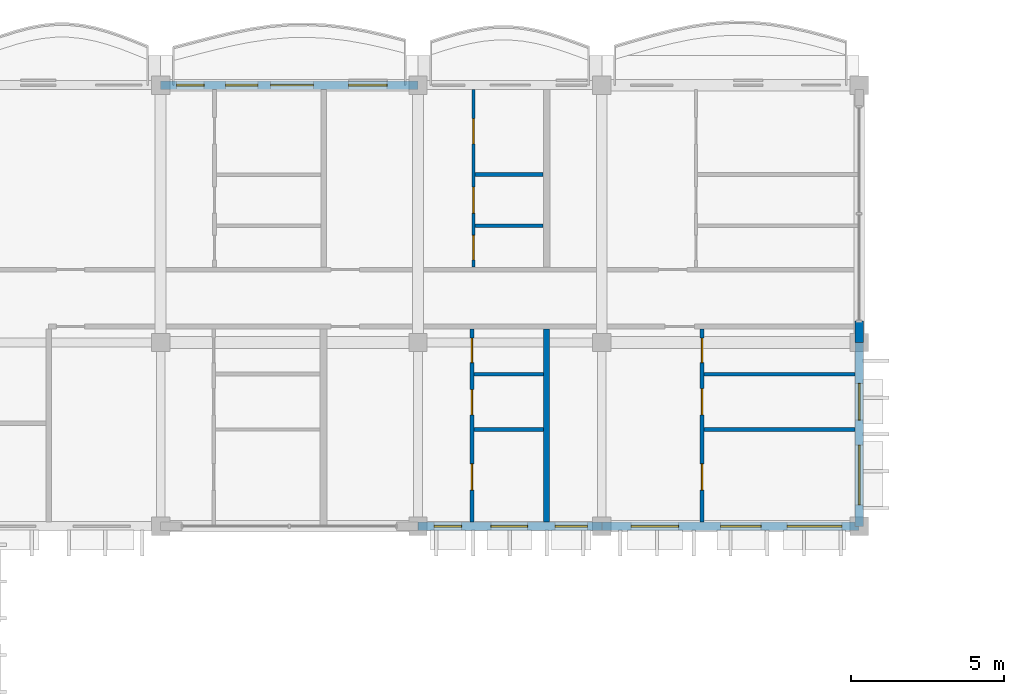
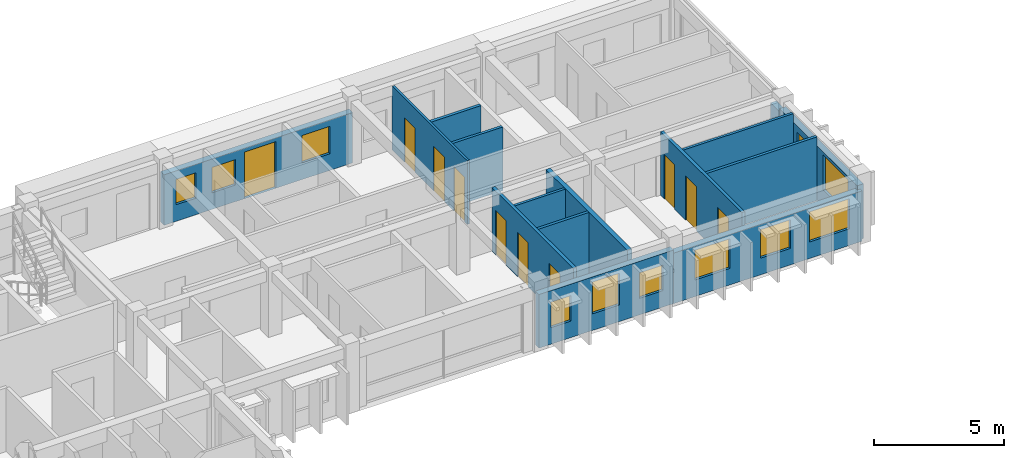
# One storey, part 28 of 54: 15 walls, 11 windows, 10 doors, 21 openings.
"""IFC4 building model written with IfcOpenShell, lengths in metres."""

from ifc_helpers import new_model, si_unit, direction, frame, frame_2d, origin, place, context, subcontext, project, spatial, rectangle, extrude, material, layer, layer_set, type_object, element, fill, save


model = new_model("IFC4")

# Units and contexts
model_context = context("Model", 3, precision=1e-05, world=origin(), true_north=direction((0.0, 1.0)))
body_context = subcontext(model_context, "Body", "Model", "MODEL_VIEW")
ifc_project = project(units=[si_unit("LENGTHUNIT", "METRE"), si_unit("AREAUNIT", "SQUARE_METRE"), si_unit("VOLUMEUNIT", "CUBIC_METRE"), si_unit("PLANEANGLEUNIT", "RADIAN"), si_unit("MASSUNIT", "GRAM", prefix="KILO"), si_unit("THERMODYNAMICTEMPERATUREUNIT", "KELVIN")], contexts=[model_context])

# Site, building, storey
site_placement = place(None, origin())
site = spatial("IfcSite", under=ifc_project, at=site_placement, CompositionType="ELEMENT")
building_placement = place(site_placement, origin())
building = spatial("IfcBuilding", under=site, at=building_placement, Name="Thalorik Housing Commons", CompositionType="ELEMENT")
storey_placement = place(building_placement, frame((0.0, 0.0, 31.199951171875)))
storey = spatial("IfcBuildingStorey", under=building, at=storey_placement, Name="L09", CompositionType="ELEMENT", Elevation=31.199951171875)

# Wall, openings, windows
ifc_material_1 = material(Name="White precast concrete C40/50", Category="concrete")
ifc_layer_1 = layer(ifc_material_1, 0.27490234375, Name="White precast concrete C40/50", Category="concrete")
ifc_layer_set_1 = layer_set([ifc_layer_1], Name="White precast concrete C40/50")
wall_type_1 = type_object("IfcWallType", Name="ARC-WAL-EXT-275", PredefinedType="STANDARD", material=ifc_layer_set_1)
wall_1_placement = place(storey_placement, frame((37.199951171875, 109.199951171875, 0.0), z_axis=(0.0, 0.0, 1.0), x_axis=(1.0, 0.0, 0.0)))
wall_1 = element("IfcWall", 1, at=wall_1_placement, inside=storey, type_object=wall_type_1, Name="L09 Exterior Wall WAL-EXT-L09-A-0237", PredefinedType="STANDARD", context=body_context, shape_type="SweptSolid", body=[
    extrude(rectangle(XDim=6.0, YDim=0.27490234375, at=frame_2d((3.0, 0.0))), origin(), (0.0, 0.0, 1.0), 2.525146484375),
])
opening_1_placement = place(wall_1_placement, frame((0.52490234375, 0.0, 0.780029296875)))
opening_1 = element("IfcOpeningElement", 2, at=opening_1_placement, cuts=wall_1, Name="Opening W-01", PredefinedType="OPENING", context=body_context, shape_type="SweptSolid", body=[
    extrude(rectangle(XDim=0.89990234375, YDim=1.199951171875, at=frame_2d((0.449951171875, 0.60009765625))), frame((0.0, 0.1474609375, 0.0), z_axis=(0.0, -1.0, 0.0), x_axis=(1.0, 0.0, 0.0)), (0.0, 0.0, 1.0), 0.294921875),
])
opening_2_placement = place(wall_1_placement, frame((2.3798828125, 0.0, 0.780029296875)))
opening_2 = element("IfcOpeningElement", 3, at=opening_2_placement, cuts=wall_1, Name="Opening W-05", PredefinedType="OPENING", context=body_context, shape_type="SweptSolid", body=[
    extrude(rectangle(XDim=1.199951171875, YDim=1.5, at=frame_2d((0.60009765625, 0.75))), frame((0.0, 0.1474609375, 0.0), z_axis=(0.0, -1.0, 0.0), x_axis=(1.0, 0.0, 0.0)), (0.0, 0.0, 1.0), 0.294921875),
])
opening_3_placement = place(wall_1_placement, frame((4.47998046875, 0.0, 0.780029296875)))
opening_3 = element("IfcOpeningElement", 4, at=opening_3_placement, cuts=wall_1, Name="Opening W-44", PredefinedType="OPENING", context=body_context, shape_type="SweptSolid", body=[
    extrude(rectangle(XDim=1.050048828125, YDim=1.199951171875, at=frame_2d((0.52490234375, 0.60009765625))), frame((0.0, 0.1474609375, 0.0), z_axis=(0.0, -1.0, 0.0), x_axis=(1.0, 0.0, 0.0)), (0.0, 0.0, 1.0), 0.294921875),
])
ifc_material_2 = material(Name="Anodised aluminium and solar-control low-E glass", Category="aluminium")
window_type_1 = type_object("IfcWindowType", Name="ARC-WIN-01", PartitioningType="SINGLE_PANEL", PredefinedType="WINDOW", material=ifc_material_2)
window_1_placement = place(opening_1_placement, origin())
window_1 = element("IfcWindow", 5, at=window_1_placement, inside=storey, type_object=window_type_1, Name="L09 Facade Window 426", OverallHeight=1.199951171875, OverallWidth=0.89990234375, PartitioningType="SINGLE_PANEL", PredefinedType="WINDOW", context=body_context, shape_type="SweptSolid", body=[
    extrude(rectangle(XDim=0.89990234375, YDim=1.199951171875, at=frame_2d((0.449951171875, 0.60009765625))), frame((0.0, 0.030029296875, 0.0), z_axis=(0.0, -1.0, 0.0), x_axis=(1.0, 0.0, 0.0)), (0.0, 0.0, 1.0), 0.06005859375),
])
fill(opening_1, window_1)
window_type_2 = type_object("IfcWindowType", Name="ARC-WIN-05", PartitioningType="SINGLE_PANEL", PredefinedType="WINDOW", material=ifc_material_2)
window_2_placement = place(opening_2_placement, origin())
window_2 = element("IfcWindow", 6, at=window_2_placement, inside=storey, type_object=window_type_2, Name="L09 Facade Window 427", OverallHeight=1.5, OverallWidth=1.199951171875, PartitioningType="SINGLE_PANEL", PredefinedType="WINDOW", context=body_context, shape_type="SweptSolid", body=[
    extrude(rectangle(XDim=1.199951171875, YDim=1.5, at=frame_2d((0.60009765625, 0.75))), frame((0.0, 0.030029296875, 0.0), z_axis=(0.0, -1.0, 0.0), x_axis=(1.0, 0.0, 0.0)), (0.0, 0.0, 1.0), 0.06005859375),
])
fill(opening_2, window_2)
window_type_3 = type_object("IfcWindowType", Name="ARC-WIN-44", PartitioningType="SINGLE_PANEL", PredefinedType="WINDOW", material=ifc_material_2)
window_3_placement = place(opening_3_placement, origin())
window_3 = element("IfcWindow", 7, at=window_3_placement, inside=storey, type_object=window_type_3, Name="L09 Facade Window 428", OverallHeight=1.199951171875, OverallWidth=1.050048828125, PartitioningType="SINGLE_PANEL", PredefinedType="WINDOW", context=body_context, shape_type="SweptSolid", body=[
    extrude(rectangle(XDim=1.050048828125, YDim=1.199951171875, at=frame_2d((0.52490234375, 0.60009765625))), frame((0.0, 0.030029296875, 0.0), z_axis=(0.0, -1.0, 0.0), x_axis=(1.0, 0.0, 0.0)), (0.0, 0.0, 1.0), 0.06005859375),
])
fill(opening_3, window_3)

wall_2_placement = place(storey_placement, frame((43.199951171875, 109.199951171875, 0.0), z_axis=(0.0, 0.0, 1.0), x_axis=(1.0, 0.0, 0.0)))
wall_2 = element("IfcWall", 8, at=wall_2_placement, inside=storey, type_object=wall_type_1, Name="L09 Exterior Wall WAL-EXT-L09-A-0238", PredefinedType="STANDARD", context=body_context, shape_type="SweptSolid", body=[
    extrude(rectangle(XDim=8.400146484375, YDim=0.27490234375, at=frame_2d((4.2001953125, 0.0))), origin(), (0.0, 0.0, 1.0), 2.375),
])
opening_4_placement = place(wall_2_placement, frame((0.955078125, 0.0, 0.780029296875)))
opening_4 = element("IfcOpeningElement", 9, at=opening_4_placement, cuts=wall_2, Name="Opening W-12", PredefinedType="OPENING", context=body_context, shape_type="SweptSolid", body=[
    extrude(rectangle(XDim=1.550048828125, YDim=1.39990234375, at=frame_2d((0.77490234375, 0.699951171875))), frame((0.0, 0.1474609375, 0.0), z_axis=(0.0, -1.0, 0.0), x_axis=(1.0, 0.0, 0.0)), (0.0, 0.0, 1.0), 0.294921875),
])
opening_5_placement = place(wall_2_placement, frame((3.8798828125, 0.0, 0.780029296875)))
opening_5 = element("IfcOpeningElement", 10, at=opening_5_placement, cuts=wall_2, Name="Opening W-48", PredefinedType="OPENING", context=body_context, shape_type="SweptSolid", body=[
    extrude(rectangle(XDim=1.320068359375, YDim=1.35009765625, at=frame_2d((0.66015625, 0.675048828125))), frame((0.0, 0.1474609375, 0.0), z_axis=(0.0, -1.0, 0.0), x_axis=(1.0, 0.0, 0.0)), (0.0, 0.0, 1.0), 0.294921875),
])
opening_6_placement = place(wall_2_placement, frame((6.050048828125, 0.0, 0.780029296875)))
opening_6 = element("IfcOpeningElement", 11, at=opening_6_placement, cuts=wall_2, Name="Opening W-57", PredefinedType="OPENING", context=body_context, shape_type="SweptSolid", body=[
    extrude(rectangle(XDim=1.780029296875, YDim=1.419921875, at=frame_2d((0.89013671875, 0.7099609375))), frame((0.0, 0.1474609375, 0.0), z_axis=(0.0, -1.0, 0.0), x_axis=(1.0, 0.0, 0.0)), (0.0, 0.0, 1.0), 0.294921875),
])
window_type_4 = type_object("IfcWindowType", Name="ARC-WIN-12", PartitioningType="SINGLE_PANEL", PredefinedType="WINDOW", material=ifc_material_2)
window_4_placement = place(opening_4_placement, origin())
window_4 = element("IfcWindow", 12, at=window_4_placement, inside=storey, type_object=window_type_4, Name="L09 Facade Window 429", OverallHeight=1.39990234375, OverallWidth=1.550048828125, PartitioningType="SINGLE_PANEL", PredefinedType="WINDOW", context=body_context, shape_type="SweptSolid", body=[
    extrude(rectangle(XDim=1.550048828125, YDim=1.39990234375, at=frame_2d((0.77490234375, 0.699951171875))), frame((0.0, 0.030029296875, 0.0), z_axis=(0.0, -1.0, 0.0), x_axis=(1.0, 0.0, 0.0)), (0.0, 0.0, 1.0), 0.06005859375),
])
fill(opening_4, window_4)
window_type_5 = type_object("IfcWindowType", Name="ARC-WIN-48", PartitioningType="SINGLE_PANEL", PredefinedType="WINDOW", material=ifc_material_2)
window_5_placement = place(opening_5_placement, origin())
window_5 = element("IfcWindow", 13, at=window_5_placement, inside=storey, type_object=window_type_5, Name="L09 Facade Window 430", OverallHeight=1.35009765625, OverallWidth=1.320068359375, PartitioningType="SINGLE_PANEL", PredefinedType="WINDOW", context=body_context, shape_type="SweptSolid", body=[
    extrude(rectangle(XDim=1.320068359375, YDim=1.35009765625, at=frame_2d((0.66015625, 0.675048828125))), frame((0.0, 0.030029296875, 0.0), z_axis=(0.0, -1.0, 0.0), x_axis=(1.0, 0.0, 0.0)), (0.0, 0.0, 1.0), 0.06005859375),
])
fill(opening_5, window_5)
window_type_6 = type_object("IfcWindowType", Name="ARC-WIN-57", PartitioningType="DOUBLE_PANEL_VERTICAL", PredefinedType="WINDOW", material=ifc_material_2)
window_6_placement = place(opening_6_placement, origin())
window_6 = element("IfcWindow", 14, at=window_6_placement, inside=storey, type_object=window_type_6, Name="L09 Facade Window 431", OverallHeight=1.419921875, OverallWidth=1.780029296875, PartitioningType="DOUBLE_PANEL_VERTICAL", PredefinedType="WINDOW", context=body_context, shape_type="SweptSolid", body=[
    extrude(rectangle(XDim=1.780029296875, YDim=1.419921875, at=frame_2d((0.89013671875, 0.7099609375))), frame((0.0, 0.030029296875, 0.0), z_axis=(0.0, -1.0, 0.0), x_axis=(1.0, 0.0, 0.0)), (0.0, 0.0, 1.0), 0.06005859375),
])
fill(opening_6, window_6)

wall_3_placement = place(storey_placement, frame((51.60009765625, 109.199951171875, 0.0), z_axis=(0.0, 0.0, 1.0), x_axis=(0.0, 1.0, 0.0)))
wall_3 = element("IfcWall", 15, at=wall_3_placement, inside=storey, type_object=wall_type_1, Name="L09 Exterior Wall WAL-EXT-L09-A-0239", PredefinedType="STANDARD", context=body_context, shape_type="SweptSolid", body=[
    extrude(rectangle(XDim=6.0, YDim=0.27490234375, at=frame_2d((3.0, 0.0))), origin(), (0.0, 0.0, 1.0), 2.574951171875),
])
opening_7_placement = place(wall_3_placement, frame((0.700439453125, 0.0, 0.780029296875)))
opening_7 = element("IfcOpeningElement", 16, at=opening_7_placement, cuts=wall_3, Name="Opening W-22", PredefinedType="OPENING", context=body_context, shape_type="SweptSolid", body=[
    extrude(rectangle(XDim=1.949951171875, YDim=1.64990234375, at=frame_2d((0.97509765625, 0.824951171875))), frame((0.0, 0.1474609375, 0.0), z_axis=(0.0, -1.0, 0.0), x_axis=(1.0, 0.0, 0.0)), (0.0, 0.0, 1.0), 0.294921875),
])
opening_8_placement = place(wall_3_placement, frame((3.465087890625, 0.0, 0.780029296875)))
opening_8 = element("IfcOpeningElement", 17, at=opening_8_placement, cuts=wall_3, Name="Opening W-05", PredefinedType="OPENING", context=body_context, shape_type="SweptSolid", body=[
    extrude(rectangle(XDim=1.199951171875, YDim=1.5, at=frame_2d((0.60009765625, 0.75))), frame((0.0, 0.1474609375, 0.0), z_axis=(0.0, -1.0, 0.0), x_axis=(1.0, 0.0, 0.0)), (0.0, 0.0, 1.0), 0.294921875),
])
window_7_placement = place(opening_8_placement, origin())
window_7 = element("IfcWindow", 18, at=window_7_placement, inside=storey, type_object=window_type_2, Name="L09 Facade Window 433", OverallHeight=1.5, OverallWidth=1.199951171875, PartitioningType="SINGLE_PANEL", PredefinedType="WINDOW", context=body_context, shape_type="SweptSolid", body=[
    extrude(rectangle(XDim=1.199951171875, YDim=1.5, at=frame_2d((0.60009765625, 0.75))), frame((0.0, 0.030029296875, 0.0), z_axis=(0.0, -1.0, 0.0), x_axis=(1.0, 0.0, 0.0)), (0.0, 0.0, 1.0), 0.06005859375),
])
fill(opening_8, window_7)
window_type_7 = type_object("IfcWindowType", Name="ARC-WIN-22", PartitioningType="DOUBLE_PANEL_VERTICAL", PredefinedType="WINDOW", material=ifc_material_2)
window_8_placement = place(opening_7_placement, origin())
window_8 = element("IfcWindow", 19, at=window_8_placement, inside=storey, type_object=window_type_7, Name="L09 Facade Window 432", OverallHeight=1.64990234375, OverallWidth=1.949951171875, PartitioningType="DOUBLE_PANEL_VERTICAL", PredefinedType="WINDOW", context=body_context, shape_type="SweptSolid", body=[
    extrude(rectangle(XDim=1.949951171875, YDim=1.64990234375, at=frame_2d((0.97509765625, 0.824951171875))), frame((0.0, 0.030029296875, 0.0), z_axis=(0.0, -1.0, 0.0), x_axis=(1.0, 0.0, 0.0)), (0.0, 0.0, 1.0), 0.06005859375),
])
fill(opening_7, window_8)

# Wall
wall_4_placement = place(storey_placement, frame((51.60009765625, 115.199951171875, 0.0), z_axis=(0.0, 0.0, 1.0), x_axis=(0.0, 1.0, 0.0)))
element("IfcWall", 20, at=wall_4_placement, inside=storey, type_object=wall_type_1, Name="L09 Exterior Wall WAL-PIERL-L09-A-0240", PredefinedType="STANDARD", context=body_context, shape_type="SweptSolid", body=[
    extrude(rectangle(XDim=0.699951171875, YDim=0.27490234375, at=frame_2d((0.35009765625, 0.0))), origin(), (0.0, 0.0, 1.0), 2.425048828125),
])

# Wall, openings, door, windows
wall_5_placement = place(storey_placement, frame((37.199951171875, 123.60009765625, 0.0), z_axis=(0.0, 0.0, 1.0), x_axis=(-1.0, 0.0, 0.0)))
wall_5 = element("IfcWall", 21, at=wall_5_placement, inside=storey, type_object=wall_type_1, Name="L09 Exterior Wall WAL-EXT-L09-A-0243", PredefinedType="STANDARD", context=body_context, shape_type="SweptSolid", body=[
    extrude(rectangle(XDim=8.39990234375, YDim=0.27490234375, at=frame_2d((4.199951171875, 0.0))), origin(), (0.0, 0.0, 1.0), 2.375),
])
opening_9_placement = place(wall_5_placement, frame((3.409912109375, 0.0, 0.0)))
opening_9 = element("IfcOpeningElement", 22, at=opening_9_placement, cuts=wall_5, Name="Opening ED-0077", PredefinedType="OPENING", context=body_context, shape_type="SweptSolid", body=[
    extrude(rectangle(XDim=1.39990234375, YDim=2.199951171875, at=frame_2d((0.699951171875, 1.10009765625))), frame((0.0, 0.1474609375, 0.0), z_axis=(0.0, -1.0, 0.0), x_axis=(1.0, 0.0, 0.0)), (0.0, 0.0, 1.0), 0.294921875),
])
opening_10_placement = place(wall_5_placement, frame((1.010009765625, 0.0, 0.780029296875)))
opening_10 = element("IfcOpeningElement", 23, at=opening_10_placement, cuts=wall_5, Name="Opening W-46", PredefinedType="OPENING", context=body_context, shape_type="SweptSolid", body=[
    extrude(rectangle(XDim=1.25, YDim=1.300048828125, at=frame_2d((0.625, 0.64990234375))), frame((0.0, 0.1474609375, 0.0), z_axis=(0.0, -1.0, 0.0), x_axis=(1.0, 0.0, 0.0)), (0.0, 0.0, 1.0), 0.294921875),
])
opening_11_placement = place(wall_5_placement, frame((5.227294921875, 0.0, 0.780029296875)))
opening_11 = element("IfcOpeningElement", 24, at=opening_11_placement, cuts=wall_5, Name="Opening W-44", PredefinedType="OPENING", context=body_context, shape_type="SweptSolid", body=[
    extrude(rectangle(XDim=1.050048828125, YDim=1.199951171875, at=frame_2d((0.52490234375, 0.60009765625))), frame((0.0, 0.1474609375, 0.0), z_axis=(0.0, -1.0, 0.0), x_axis=(1.0, 0.0, 0.0)), (0.0, 0.0, 1.0), 0.294921875),
])
opening_12_placement = place(wall_5_placement, frame((6.977294921875, 0.0, 0.780029296875)))
opening_12 = element("IfcOpeningElement", 25, at=opening_12_placement, cuts=wall_5, Name="Opening W-01", PredefinedType="OPENING", context=body_context, shape_type="SweptSolid", body=[
    extrude(rectangle(XDim=0.89990234375, YDim=1.199951171875, at=frame_2d((0.449951171875, 0.60009765625))), frame((0.0, 0.1474609375, 0.0), z_axis=(0.0, -1.0, 0.0), x_axis=(1.0, 0.0, 0.0)), (0.0, 0.0, 1.0), 0.294921875),
])
ifc_material_3 = material(Name="Anodised aluminium and laminated safety glass", Category="aluminium")
door_type_1 = type_object("IfcDoorType", Name="ARC-DR-BAL-1400", OperationType="NOTDEFINED", PredefinedType="DOOR", material=ifc_material_3)
door_1_placement = place(opening_9_placement, frame((1.39990234375, 0.0, 0.0), z_axis=(0.0, 0.0, 1.0), x_axis=(-1.0, 0.0, 0.0)))
door_1 = element("IfcDoor", 26, at=door_1_placement, inside=storey, type_object=door_type_1, Name="L09 Block A Balcony Glazed Door", OperationType="SLIDING_TO_LEFT", OverallHeight=2.199951171875, OverallWidth=1.39990234375, PredefinedType="DOOR", context=body_context, shape_type="SweptSolid", body=[
    extrude(rectangle(XDim=1.39990234375, YDim=2.199951171875, at=frame_2d((0.699951171875, 1.10009765625))), frame((0.0, 0.02490234375, 0.0), z_axis=(0.0, -1.0, 0.0), x_axis=(1.0, 0.0, 0.0)), (0.0, 0.0, 1.0), 0.050048828125),
])
fill(opening_9, door_1)
window_9_placement = place(opening_12_placement, origin())
window_9 = element("IfcWindow", 27, at=window_9_placement, inside=storey, type_object=window_type_1, Name="L09 Facade Window 440", OverallHeight=1.199951171875, OverallWidth=0.89990234375, PartitioningType="SINGLE_PANEL", PredefinedType="WINDOW", context=body_context, shape_type="SweptSolid", body=[
    extrude(rectangle(XDim=0.89990234375, YDim=1.199951171875, at=frame_2d((0.449951171875, 0.60009765625))), frame((0.0, 0.030029296875, 0.0), z_axis=(0.0, -1.0, 0.0), x_axis=(1.0, 0.0, 0.0)), (0.0, 0.0, 1.0), 0.06005859375),
])
fill(opening_12, window_9)
window_10_placement = place(opening_11_placement, origin())
window_10 = element("IfcWindow", 28, at=window_10_placement, inside=storey, type_object=window_type_3, Name="L09 Facade Window 439", OverallHeight=1.199951171875, OverallWidth=1.050048828125, PartitioningType="SINGLE_PANEL", PredefinedType="WINDOW", context=body_context, shape_type="SweptSolid", body=[
    extrude(rectangle(XDim=1.050048828125, YDim=1.199951171875, at=frame_2d((0.52490234375, 0.60009765625))), frame((0.0, 0.030029296875, 0.0), z_axis=(0.0, -1.0, 0.0), x_axis=(1.0, 0.0, 0.0)), (0.0, 0.0, 1.0), 0.06005859375),
])
fill(opening_11, window_10)
window_type_8 = type_object("IfcWindowType", Name="ARC-WIN-46", PartitioningType="SINGLE_PANEL", PredefinedType="WINDOW", material=ifc_material_2)
window_11_placement = place(opening_10_placement, origin())
window_11 = element("IfcWindow", 29, at=window_11_placement, inside=storey, type_object=window_type_8, Name="L09 Facade Window 438", OverallHeight=1.300048828125, OverallWidth=1.25, PartitioningType="SINGLE_PANEL", PredefinedType="WINDOW", context=body_context, shape_type="SweptSolid", body=[
    extrude(rectangle(XDim=1.25, YDim=1.300048828125, at=frame_2d((0.625, 0.64990234375))), frame((0.0, 0.030029296875, 0.0), z_axis=(0.0, -1.0, 0.0), x_axis=(1.0, 0.0, 0.0)), (0.0, 0.0, 1.0), 0.06005859375),
])
fill(opening_10, window_11)

# Wall, openings, doors
ifc_material_4 = material(Name="Gypsum light stud partition", Category="masonry")
ifc_layer_2 = layer(ifc_material_4, 0.10009765625, Name="Gypsum light stud partition", Category="masonry")
ifc_layer_set_2 = layer_set([ifc_layer_2], Name="Gypsum light stud partition")
wall_type_2 = type_object("IfcWallType", Name="ARC-WAL-PART-100", PredefinedType="PARTITIONING", material=ifc_layer_set_2)
wall_6_placement = place(storey_placement, frame((39.014404296875, 117.656982421875, 0.0), z_axis=(0.0, 0.0, 1.0), x_axis=(0.0, 1.0, 0.0)))
wall_6 = element("IfcWall", 30, at=wall_6_placement, inside=storey, type_object=wall_type_2, Name="L09 Unit 2B Spine Partition", PredefinedType="PARTITIONING", context=body_context, shape_type="SweptSolid", body=[
    extrude(rectangle(XDim=5.803466796875, YDim=0.10009765625, at=frame_2d((2.90185546875, 0.0))), origin(), (0.0, 0.0, 1.0), 3.0),
])
opening_13_placement = place(wall_6_placement, frame((0.23828125, 0.0, 0.0)))
opening_13 = element("IfcOpeningElement", 31, at=opening_13_placement, cuts=wall_6, Name="Opening ID-0774", PredefinedType="OPENING", context=body_context, shape_type="SweptSolid", body=[
    extrude(rectangle(XDim=0.800048828125, YDim=2.10009765625, at=frame_2d((0.39990234375, 1.050048828125))), frame((0.0, 0.06005859375, 0.0), z_axis=(0.0, -1.0, 0.0), x_axis=(1.0, 0.0, 0.0)), (0.0, 0.0, 1.0), 0.1201171875),
])
opening_14_placement = place(wall_6_placement, frame((1.7626953125, 0.0, 0.0)))
opening_14 = element("IfcOpeningElement", 32, at=opening_14_placement, cuts=wall_6, Name="Opening ID-0775", PredefinedType="OPENING", context=body_context, shape_type="SweptSolid", body=[
    extrude(rectangle(XDim=0.85009765625, YDim=2.10009765625, at=frame_2d((0.425048828125, 1.050048828125))), frame((0.0, 0.06005859375, 0.0), z_axis=(0.0, -1.0, 0.0), x_axis=(1.0, 0.0, 0.0)), (0.0, 0.0, 1.0), 0.1201171875),
])
opening_15_placement = place(wall_6_placement, frame((4.027587890625, 0.0, 0.0)))
opening_15 = element("IfcOpeningElement", 33, at=opening_15_placement, cuts=wall_6, Name="Opening ID-0776", PredefinedType="OPENING", context=body_context, shape_type="SweptSolid", body=[
    extrude(rectangle(XDim=0.820068359375, YDim=2.080078125, at=frame_2d((0.41015625, 1.0400390625))), frame((0.0, 0.06005859375, 0.0), z_axis=(0.0, -1.0, 0.0), x_axis=(1.0, 0.0, 0.0)), (0.0, 0.0, 1.0), 0.1201171875),
])
ifc_material_5 = material(Name="Moisture-resistant timber", Category="wood")
door_type_2 = type_object("IfcDoorType", Name="ARC-DR-INT-800", OperationType="NOTDEFINED", PredefinedType="DOOR", material=ifc_material_5)
door_2_placement = place(opening_13_placement, origin())
door_2 = element("IfcDoor", 34, at=door_2_placement, inside=storey, type_object=door_type_2, Name="L09 Flat Bathroom Door", OperationType="SINGLE_SWING_LEFT", OverallHeight=2.10009765625, OverallWidth=0.800048828125, PredefinedType="DOOR", context=body_context, shape_type="SweptSolid", body=[
    extrude(rectangle(XDim=0.800048828125, YDim=2.10009765625, at=frame_2d((0.39990234375, 1.050048828125))), frame((0.0, 0.02490234375, 0.0), z_axis=(0.0, -1.0, 0.0), x_axis=(1.0, 0.0, 0.0)), (0.0, 0.0, 1.0), 0.050048828125),
])
fill(opening_13, door_2)
ifc_material_6 = material(Name="Engineered oak timber", Category="wood")
door_type_3 = type_object("IfcDoorType", Name="ARC-DR-INT-820", OperationType="NOTDEFINED", PredefinedType="DOOR", material=ifc_material_6)
door_3_placement = place(opening_15_placement, origin())
door_3 = element("IfcDoor", 35, at=door_3_placement, inside=storey, type_object=door_type_3, Name="L09 Double Bedroom Door", OperationType="SINGLE_SWING_LEFT", OverallHeight=2.080078125, OverallWidth=0.820068359375, PredefinedType="DOOR", context=body_context, shape_type="SweptSolid", body=[
    extrude(rectangle(XDim=0.820068359375, YDim=2.080078125, at=frame_2d((0.41015625, 1.0400390625))), frame((0.0, 0.02490234375, 0.0), z_axis=(0.0, -1.0, 0.0), x_axis=(1.0, 0.0, 0.0)), (0.0, 0.0, 1.0), 0.050048828125),
])
fill(opening_15, door_3)
door_type_4 = type_object("IfcDoorType", Name="ARC-DR-INT-850", OperationType="NOTDEFINED", PredefinedType="DOOR", material=ifc_material_6)
door_4_placement = place(opening_14_placement, origin())
door_4 = element("IfcDoor", 36, at=door_4_placement, inside=storey, type_object=door_type_4, Name="L09 Galley Kitchen Door", OperationType="SINGLE_SWING_RIGHT", OverallHeight=2.10009765625, OverallWidth=0.85009765625, PredefinedType="DOOR", context=body_context, shape_type="SweptSolid", body=[
    extrude(rectangle(XDim=0.85009765625, YDim=2.10009765625, at=frame_2d((0.425048828125, 1.050048828125))), frame((0.0, 0.02490234375, 0.0), z_axis=(0.0, -1.0, 0.0), x_axis=(1.0, 0.0, 0.0)), (0.0, 0.0, 1.0), 0.050048828125),
])
fill(opening_14, door_4)

# Walls
ifc_material_7 = material(Name="Gypsum moisture-resistant partition", Category="masonry")
ifc_layer_3 = layer(ifc_material_7, 0.114990234375, Name="Gypsum moisture-resistant partition", Category="masonry")
ifc_layer_set_3 = layer_set([ifc_layer_3], Name="Gypsum moisture-resistant partition")
wall_type_3 = type_object("IfcWallType", Name="ARC-WAL-PART-115", PredefinedType="PARTITIONING", material=ifc_layer_set_3)
wall_7_placement = place(storey_placement, frame((39.031982421875, 114.169677734375, 0.0), z_axis=(0.0, 0.0, 1.0), x_axis=(1.0, 0.0, 0.0)))
element("IfcWall", 37, at=wall_7_placement, inside=storey, type_object=wall_type_3, Name="L09 Unit 2 Wet Wall", PredefinedType="PARTITIONING", context=body_context, shape_type="SweptSolid", body=[
    extrude(rectangle(XDim=2.26611328125, YDim=0.114990234375, at=frame_2d((1.133056640625, 0.0))), origin(), (0.0, 0.0, 1.0), 3.0),
])
wall_8_placement = place(storey_placement, frame((46.5419921875, 114.169677734375, 0.0), z_axis=(0.0, 0.0, 1.0), x_axis=(1.0, 0.0, 0.0)))
element("IfcWall", 38, at=wall_8_placement, inside=storey, type_object=wall_type_3, Name="L09 Unit 3 Wet Wall", PredefinedType="PARTITIONING", context=body_context, shape_type="SweptSolid", body=[
    extrude(rectangle(XDim=4.91845703125, YDim=0.114990234375, at=frame_2d((2.459228515625, 0.0))), origin(), (0.0, 0.0, 1.0), 3.0),
])
ifc_material_8 = material(Name="Gypsum acoustic stud partition", Category="masonry")
ifc_layer_4 = layer(ifc_material_8, 0.125, Name="Gypsum acoustic stud partition", Category="masonry")
ifc_layer_set_4 = layer_set([ifc_layer_4], Name="Gypsum acoustic stud partition")
wall_type_4 = type_object("IfcWallType", Name="ARC-WAL-PART-125", PredefinedType="PARTITIONING", material=ifc_layer_set_4)
wall_9_placement = place(storey_placement, frame((39.031982421875, 112.36083984375, 0.0), z_axis=(0.0, 0.0, 1.0), x_axis=(1.0, 0.0, 0.0)))
element("IfcWall", 39, at=wall_9_placement, inside=storey, type_object=wall_type_4, Name="L09 Unit 2 Bedroom Partition", PredefinedType="PARTITIONING", context=body_context, shape_type="SweptSolid", body=[
    extrude(rectangle(XDim=2.26611328125, YDim=0.125, at=frame_2d((1.133056640625, 0.0))), origin(), (0.0, 0.0, 1.0), 3.0),
])
wall_10_placement = place(storey_placement, frame((39.06640625, 119.010498046875, 0.0), z_axis=(0.0, 0.0, 1.0), x_axis=(1.0, 0.0, 0.0)))
element("IfcWall", 40, at=wall_10_placement, inside=storey, type_object=wall_type_4, Name="L09 Unit 2B Wet Wall", PredefinedType="PARTITIONING", context=body_context, shape_type="SweptSolid", body=[
    extrude(rectangle(XDim=2.2216796875, YDim=0.125, at=frame_2d((1.11083984375, 0.0))), origin(), (0.0, 0.0, 1.0), 3.0),
])
wall_11_placement = place(storey_placement, frame((46.5419921875, 112.36083984375, 0.0), z_axis=(0.0, 0.0, 1.0), x_axis=(1.0, 0.0, 0.0)))
element("IfcWall", 41, at=wall_11_placement, inside=storey, type_object=wall_type_4, Name="L09 Unit 3 Bedroom Partition", PredefinedType="PARTITIONING", context=body_context, shape_type="SweptSolid", body=[
    extrude(rectangle(XDim=4.91845703125, YDim=0.125, at=frame_2d((2.459228515625, 0.0))), origin(), (0.0, 0.0, 1.0), 3.0),
])

# Wall, openings, doors
ifc_material_9 = material(Name="Ceramic masonry partition wall", Category="masonry")
ifc_layer_5 = layer(ifc_material_9, 0.139892578125, Name="Ceramic masonry partition wall", Category="masonry")
ifc_layer_set_5 = layer_set([ifc_layer_5], Name="Ceramic masonry partition wall")
wall_type_5 = type_object("IfcWallType", Name="ARC-WAL-PART-140", PredefinedType="PARTITIONING", material=ifc_layer_set_5)
wall_12_placement = place(storey_placement, frame((38.9599609375, 109.339599609375, 0.0), z_axis=(0.0, 0.0, 1.0), x_axis=(0.0, 1.0, 0.0)))
wall_12 = element("IfcWall", 42, at=wall_12_placement, inside=storey, type_object=wall_type_5, Name="L09 Unit 2 Spine Partition", PredefinedType="PARTITIONING", context=body_context, shape_type="SweptSolid", body=[
    extrude(rectangle(XDim=6.2958984375, YDim=0.139892578125, at=frame_2d((3.14794921875, 0.0))), origin(), (0.0, 0.0, 1.0), 3.0),
])
opening_16_placement = place(wall_12_placement, frame((1.0458984375, 0.0, 0.0)))
opening_16 = element("IfcOpeningElement", 43, at=opening_16_placement, cuts=wall_12, Name="Opening ID-0771", PredefinedType="OPENING", context=body_context, shape_type="SweptSolid", body=[
    extrude(rectangle(XDim=0.85009765625, YDim=2.10009765625, at=frame_2d((0.425048828125, 1.050048828125))), frame((0.0, 0.080078125, 0.0), z_axis=(0.0, -1.0, 0.0), x_axis=(1.0, 0.0, 0.0)), (0.0, 0.0, 1.0), 0.159912109375),
])
opening_17_placement = place(wall_12_placement, frame((3.500732421875, 0.0, 0.0)))
opening_17 = element("IfcOpeningElement", 44, at=opening_17_placement, cuts=wall_12, Name="Opening ID-0772", PredefinedType="OPENING", context=body_context, shape_type="SweptSolid", body=[
    extrude(rectangle(XDim=0.820068359375, YDim=2.080078125, at=frame_2d((0.41015625, 1.0400390625))), frame((0.0, 0.080078125, 0.0), z_axis=(0.0, -1.0, 0.0), x_axis=(1.0, 0.0, 0.0)), (0.0, 0.0, 1.0), 0.159912109375),
])
opening_18_placement = place(wall_12_placement, frame((5.205322265625, 0.0, 0.0)))
opening_18 = element("IfcOpeningElement", 45, at=opening_18_placement, cuts=wall_12, Name="Opening ID-0773", PredefinedType="OPENING", context=body_context, shape_type="SweptSolid", body=[
    extrude(rectangle(XDim=0.800048828125, YDim=2.10009765625, at=frame_2d((0.39990234375, 1.050048828125))), frame((0.0, 0.080078125, 0.0), z_axis=(0.0, -1.0, 0.0), x_axis=(1.0, 0.0, 0.0)), (0.0, 0.0, 1.0), 0.159912109375),
])
door_5_placement = place(opening_18_placement, origin())
door_5 = element("IfcDoor", 46, at=door_5_placement, inside=storey, type_object=door_type_2, Name="L09 Accessible Bathroom Door", OperationType="SINGLE_SWING_RIGHT", OverallHeight=2.10009765625, OverallWidth=0.800048828125, PredefinedType="DOOR", context=body_context, shape_type="SweptSolid", body=[
    extrude(rectangle(XDim=0.800048828125, YDim=2.10009765625, at=frame_2d((0.39990234375, 1.050048828125))), frame((0.0, 0.02490234375, 0.0), z_axis=(0.0, -1.0, 0.0), x_axis=(1.0, 0.0, 0.0)), (0.0, 0.0, 1.0), 0.050048828125),
])
fill(opening_18, door_5)
door_6_placement = place(opening_17_placement, origin())
door_6 = element("IfcDoor", 47, at=door_6_placement, inside=storey, type_object=door_type_3, Name="L09 Eat-In Kitchen Door", OperationType="SINGLE_SWING_LEFT", OverallHeight=2.080078125, OverallWidth=0.820068359375, PredefinedType="DOOR", context=body_context, shape_type="SweptSolid", body=[
    extrude(rectangle(XDim=0.820068359375, YDim=2.080078125, at=frame_2d((0.41015625, 1.0400390625))), frame((0.0, 0.02490234375, 0.0), z_axis=(0.0, -1.0, 0.0), x_axis=(1.0, 0.0, 0.0)), (0.0, 0.0, 1.0), 0.050048828125),
])
fill(opening_17, door_6)
door_7_placement = place(opening_16_placement, origin())
door_7 = element("IfcDoor", 48, at=door_7_placement, inside=storey, type_object=door_type_4, Name="L09 Double Bedroom Door", OperationType="SINGLE_SWING_RIGHT", OverallHeight=2.10009765625, OverallWidth=0.85009765625, PredefinedType="DOOR", context=body_context, shape_type="SweptSolid", body=[
    extrude(rectangle(XDim=0.85009765625, YDim=2.10009765625, at=frame_2d((0.425048828125, 1.050048828125))), frame((0.0, 0.02490234375, 0.0), z_axis=(0.0, -1.0, 0.0), x_axis=(1.0, 0.0, 0.0)), (0.0, 0.0, 1.0), 0.050048828125),
])
fill(opening_16, door_7)

# Wall
wall_13_placement = place(storey_placement, frame((39.06640625, 120.67919921875, 0.0), z_axis=(0.0, 0.0, 1.0), x_axis=(1.0, 0.0, 0.0)))
element("IfcWall", 49, at=wall_13_placement, inside=storey, type_object=wall_type_5, Name="L09 Unit 2B Bedroom Partition", PredefinedType="PARTITIONING", context=body_context, shape_type="SweptSolid", body=[
    extrude(rectangle(XDim=2.2216796875, YDim=0.139892578125, at=frame_2d((1.11083984375, 0.0))), origin(), (0.0, 0.0, 1.0), 3.0),
])

# Wall, openings, doors
wall_14_placement = place(storey_placement, frame((46.469970703125, 109.339599609375, 0.0), z_axis=(0.0, 0.0, 1.0), x_axis=(0.0, 1.0, 0.0)))
wall_14 = element("IfcWall", 50, at=wall_14_placement, inside=storey, type_object=wall_type_5, Name="L09 Unit 3 Spine Partition", PredefinedType="PARTITIONING", context=body_context, shape_type="SweptSolid", body=[
    extrude(rectangle(XDim=6.2958984375, YDim=0.139892578125, at=frame_2d((3.14794921875, 0.0))), origin(), (0.0, 0.0, 1.0), 3.0),
])
opening_19_placement = place(wall_14_placement, frame((1.0458984375, 0.0, 0.0)))
opening_19 = element("IfcOpeningElement", 51, at=opening_19_placement, cuts=wall_14, Name="Opening ID-0777", PredefinedType="OPENING", context=body_context, shape_type="SweptSolid", body=[
    extrude(rectangle(XDim=0.85009765625, YDim=2.10009765625, at=frame_2d((0.425048828125, 1.050048828125))), frame((0.0, 0.080078125, 0.0), z_axis=(0.0, -1.0, 0.0), x_axis=(1.0, 0.0, 0.0)), (0.0, 0.0, 1.0), 0.159912109375),
])
opening_20_placement = place(wall_14_placement, frame((3.500732421875, 0.0, 0.0)))
opening_20 = element("IfcOpeningElement", 52, at=opening_20_placement, cuts=wall_14, Name="Opening ID-0778", PredefinedType="OPENING", context=body_context, shape_type="SweptSolid", body=[
    extrude(rectangle(XDim=0.85009765625, YDim=2.10009765625, at=frame_2d((0.425048828125, 1.050048828125))), frame((0.0, 0.080078125, 0.0), z_axis=(0.0, -1.0, 0.0), x_axis=(1.0, 0.0, 0.0)), (0.0, 0.0, 1.0), 0.159912109375),
])
opening_21_placement = place(wall_14_placement, frame((5.205322265625, 0.0, 0.0)))
opening_21 = element("IfcOpeningElement", 53, at=opening_21_placement, cuts=wall_14, Name="Opening ID-0779", PredefinedType="OPENING", context=body_context, shape_type="SweptSolid", body=[
    extrude(rectangle(XDim=0.800048828125, YDim=2.10009765625, at=frame_2d((0.39990234375, 1.050048828125))), frame((0.0, 0.080078125, 0.0), z_axis=(0.0, -1.0, 0.0), x_axis=(1.0, 0.0, 0.0)), (0.0, 0.0, 1.0), 0.159912109375),
])
door_8_placement = place(opening_21_placement, origin())
door_8 = element("IfcDoor", 54, at=door_8_placement, inside=storey, type_object=door_type_2, Name="L09 Accessible Bathroom Door", OperationType="SINGLE_SWING_RIGHT", OverallHeight=2.10009765625, OverallWidth=0.800048828125, PredefinedType="DOOR", context=body_context, shape_type="SweptSolid", body=[
    extrude(rectangle(XDim=0.800048828125, YDim=2.10009765625, at=frame_2d((0.39990234375, 1.050048828125))), frame((0.0, 0.02490234375, 0.0), z_axis=(0.0, -1.0, 0.0), x_axis=(1.0, 0.0, 0.0)), (0.0, 0.0, 1.0), 0.050048828125),
])
fill(opening_21, door_8)
door_9_placement = place(opening_19_placement, origin())
door_9 = element("IfcDoor", 55, at=door_9_placement, inside=storey, type_object=door_type_4, Name="L09 Master Bedroom Door", OperationType="SINGLE_SWING_RIGHT", OverallHeight=2.10009765625, OverallWidth=0.85009765625, PredefinedType="DOOR", context=body_context, shape_type="SweptSolid", body=[
    extrude(rectangle(XDim=0.85009765625, YDim=2.10009765625, at=frame_2d((0.425048828125, 1.050048828125))), frame((0.0, 0.02490234375, 0.0), z_axis=(0.0, -1.0, 0.0), x_axis=(1.0, 0.0, 0.0)), (0.0, 0.0, 1.0), 0.050048828125),
])
fill(opening_19, door_9)
door_10_placement = place(opening_20_placement, origin())
door_10 = element("IfcDoor", 56, at=door_10_placement, inside=storey, type_object=door_type_4, Name="L09 Eat-In Kitchen Door", OperationType="SINGLE_SWING_LEFT", OverallHeight=2.10009765625, OverallWidth=0.85009765625, PredefinedType="DOOR", context=body_context, shape_type="SweptSolid", body=[
    extrude(rectangle(XDim=0.85009765625, YDim=2.10009765625, at=frame_2d((0.425048828125, 1.050048828125))), frame((0.0, 0.02490234375, 0.0), z_axis=(0.0, -1.0, 0.0), x_axis=(1.0, 0.0, 0.0)), (0.0, 0.0, 1.0), 0.050048828125),
])
fill(opening_20, door_10)

# Wall
ifc_material_10 = material(Name="Precast concrete C40/50 acoustic wall", Category="concrete")
ifc_layer_6 = layer(ifc_material_10, 0.199951171875, Name="Precast concrete C40/50 acoustic wall", Category="concrete")
ifc_layer_set_6 = layer_set([ifc_layer_6], Name="Precast concrete C40/50 acoustic wall")
wall_type_6 = type_object("IfcWallType", Name="ARC-WAL-PARTY-200", PredefinedType="PARTITIONING", material=ifc_layer_set_6)
wall_15_placement = place(storey_placement, frame((41.39990234375, 109.339599609375, 0.0), z_axis=(0.0, 0.0, 1.0), x_axis=(0.0, 1.0, 0.0)))
element("IfcWall", 57, at=wall_15_placement, inside=storey, type_object=wall_type_6, Name="L09 Inter-Tenancy Wall 2A", PredefinedType="PARTITIONING", context=body_context, shape_type="SweptSolid", body=[
    extrude(rectangle(XDim=6.2958984375, YDim=0.199951171875, at=frame_2d((3.14794921875, 0.0))), origin(), (0.0, 0.0, 1.0), 3.0),
])

save(model, "model.ifc")
